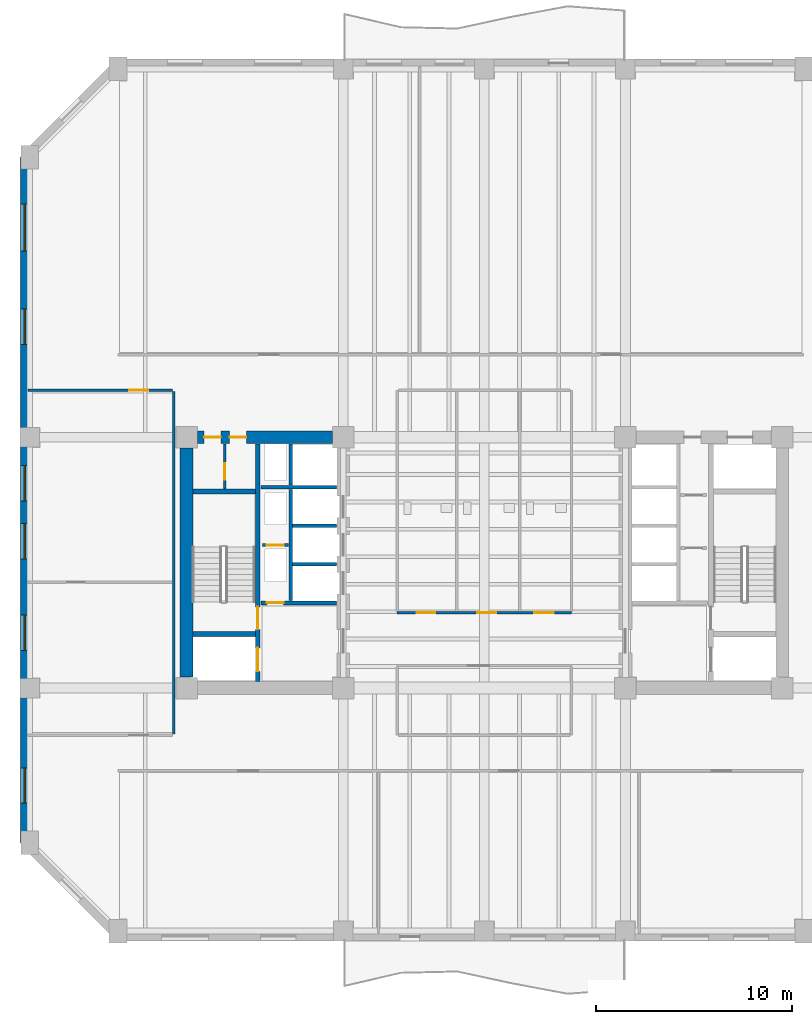
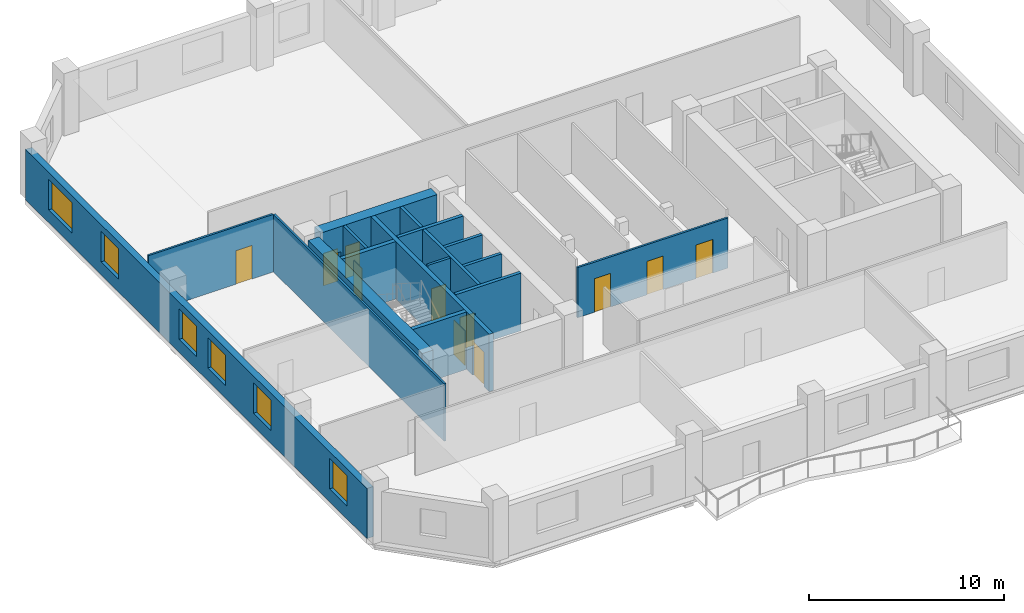
# One storey, part 3 of 10: 17 walls, 11 doors, 6 windows, 17 openings.
"""IFC4 building model written with IfcOpenShell, lengths in metres."""

from ifc_helpers import new_model, si_unit, direction, frame, frame_2d, origin, place, context, subcontext, project, spatial, rectangle, extrude, material, layer, layer_set, type_object, element, fill, save


model = new_model("IFC4")

# Units and contexts
model_context = context("Model", 3, precision=1e-05, world=origin(), true_north=direction((0.0, 1.0)))
body_context = subcontext(model_context, "Body", "Model", "MODEL_VIEW")
ifc_project = project(units=[si_unit("LENGTHUNIT", "METRE"), si_unit("AREAUNIT", "SQUARE_METRE"), si_unit("VOLUMEUNIT", "CUBIC_METRE"), si_unit("PLANEANGLEUNIT", "RADIAN"), si_unit("MASSUNIT", "GRAM", prefix="KILO")], contexts=[model_context])

# Site, building, storey
site_placement = place(None, origin())
site = spatial("IfcSite", under=ifc_project, at=site_placement, CompositionType="ELEMENT")
building_placement = place(site_placement, origin())
building = spatial("IfcBuilding", under=site, at=building_placement, Name="Kranthara Brick Stack", CompositionType="ELEMENT")
storey_placement = place(building_placement, frame((0.0, 0.0, 98.39990234375)))
storey = spatial("IfcBuildingStorey", under=building, at=storey_placement, Name="L24", CompositionType="ELEMENT", Elevation=98.39990234375)

# Wall, openings, windows
ifc_material_1 = material(Name="Kiln-fired clay brick masonry M15", Category="masonry")
ifc_layer_1 = layer(ifc_material_1, 0.3798828125)
ifc_layer_set_1 = layer_set([ifc_layer_1], Name="Kiln-fired clay brick masonry M15")
wall_type_1 = type_object("IfcWallType", Name="WL-BRK-PIER-380", PredefinedType="STANDARD", material=ifc_layer_set_1)
wall_1_placement = place(storey_placement, frame((4.510009765625, 12.89990234375, 0.0), z_axis=(0.0, 0.0, 1.0), x_axis=(0.0, 1.0, 0.0)))
wall_1 = element("IfcWall", 1, at=wall_1_placement, inside=storey, type_object=wall_type_1, Name="L24 Exterior Brick Facade Wall WEST 1", PredefinedType="STANDARD", context=body_context, shape_type="SweptSolid", body=[
    extrude(rectangle(XDim=35.0, YDim=0.3798828125, at=frame_2d((17.5, 0.0))), origin(), (0.0, 0.0, 1.0), 3.135009765625),
])
opening_1_placement = place(wall_1_placement, frame((2.02490234375, 0.0, 0.800048828125)))
opening_1 = element("IfcOpeningElement", 2, at=opening_1_placement, cuts=wall_1, Name="Opening WN01", PredefinedType="OPENING", context=body_context, shape_type="SweptSolid", body=[
    extrude(rectangle(XDim=1.800048828125, YDim=1.89990234375, at=frame_2d((0.89990234375, 0.949951171875))), frame((0.0, 0.199951171875, 0.0), z_axis=(0.0, -1.0, 0.0), x_axis=(1.0, 0.0, 0.0)), (0.0, 0.0, 1.0), 0.39990234375),
])
opening_2_placement = place(wall_1_placement, frame((9.824951171875, 0.0, 0.800048828125)))
opening_2 = element("IfcOpeningElement", 3, at=opening_2_placement, cuts=wall_1, Name="Opening WN01", PredefinedType="OPENING", context=body_context, shape_type="SweptSolid", body=[
    extrude(rectangle(XDim=1.800048828125, YDim=1.89990234375, at=frame_2d((0.89990234375, 0.949951171875))), frame((0.0, 0.199951171875, 0.0), z_axis=(0.0, -1.0, 0.0), x_axis=(1.0, 0.0, 0.0)), (0.0, 0.0, 1.0), 0.39990234375),
])
opening_3_placement = place(wall_1_placement, frame((14.4990234375, 0.0, 0.800048828125)))
opening_3 = element("IfcOpeningElement", 4, at=opening_3_placement, cuts=wall_1, Name="Opening WN01", PredefinedType="OPENING", context=body_context, shape_type="SweptSolid", body=[
    extrude(rectangle(XDim=1.800048828125, YDim=1.89990234375, at=frame_2d((0.89990234375, 0.949951171875))), frame((0.0, 0.199951171875, 0.0), z_axis=(0.0, -1.0, 0.0), x_axis=(1.0, 0.0, 0.0)), (0.0, 0.0, 1.0), 0.39990234375),
])
opening_4_placement = place(wall_1_placement, frame((17.450927734375, 0.0, 0.800048828125)))
opening_4 = element("IfcOpeningElement", 5, at=opening_4_placement, cuts=wall_1, Name="Opening WN01", PredefinedType="OPENING", context=body_context, shape_type="SweptSolid", body=[
    extrude(rectangle(XDim=1.800048828125, YDim=1.89990234375, at=frame_2d((0.89990234375, 0.949951171875))), frame((0.0, 0.199951171875, 0.0), z_axis=(0.0, -1.0, 0.0), x_axis=(1.0, 0.0, 0.0)), (0.0, 0.0, 1.0), 0.39990234375),
])
opening_5_placement = place(wall_1_placement, frame((25.443115234375, 0.0, 0.800048828125)))
opening_5 = element("IfcOpeningElement", 6, at=opening_5_placement, cuts=wall_1, Name="Opening WN01", PredefinedType="OPENING", context=body_context, shape_type="SweptSolid", body=[
    extrude(rectangle(XDim=1.800048828125, YDim=1.89990234375, at=frame_2d((0.89990234375, 0.949951171875))), frame((0.0, 0.199951171875, 0.0), z_axis=(0.0, -1.0, 0.0), x_axis=(1.0, 0.0, 0.0)), (0.0, 0.0, 1.0), 0.39990234375),
])
opening_6_placement = place(wall_1_placement, frame((30.20703125, 0.0, 0.800048828125)))
opening_6 = element("IfcOpeningElement", 7, at=opening_6_placement, cuts=wall_1, Name="Opening WN02", PredefinedType="OPENING", context=body_context, shape_type="SweptSolid", body=[
    extrude(rectangle(XDim=2.39990234375, YDim=1.89990234375, at=frame_2d((1.199951171875, 0.949951171875))), frame((0.0, 0.199951171875, 0.0), z_axis=(0.0, -1.0, 0.0), x_axis=(1.0, 0.0, 0.0)), (0.0, 0.0, 1.0), 0.39990234375),
])
ifc_material_2 = material(Name="Double-glazed low-E solar control glass", Category="glass")
window_type_1 = type_object("IfcWindowType", Name="WN-OFF-1800x2000", PartitioningType="SINGLE_PANEL", PredefinedType="WINDOW", material=ifc_material_2)
window_1_placement = place(opening_1_placement, origin())
window_1 = element("IfcWindow", 8, at=window_1_placement, inside=storey, type_object=window_type_1, Name="L24 West Deep-Set Brick Window 01", OverallHeight=1.89990234375, OverallWidth=1.800048828125, PartitioningType="SINGLE_PANEL", PredefinedType="WINDOW", context=body_context, shape_type="SweptSolid", body=[
    extrude(rectangle(XDim=1.800048828125, YDim=1.89990234375, at=frame_2d((0.89990234375, 0.949951171875))), frame((0.0, -0.010009765625, 0.0), z_axis=(0.0, -1.0, 0.0), x_axis=(1.0, 0.0, 0.0)), (0.0, 0.0, 1.0), 0.06005859375),
])
fill(opening_1, window_1)
window_2_placement = place(opening_2_placement, origin())
window_2 = element("IfcWindow", 9, at=window_2_placement, inside=storey, type_object=window_type_1, Name="L24 West Deep-Set Brick Window 02", OverallHeight=1.89990234375, OverallWidth=1.800048828125, PartitioningType="SINGLE_PANEL", PredefinedType="WINDOW", context=body_context, shape_type="SweptSolid", body=[
    extrude(rectangle(XDim=1.800048828125, YDim=1.89990234375, at=frame_2d((0.89990234375, 0.949951171875))), frame((0.0, -0.010009765625, 0.0), z_axis=(0.0, -1.0, 0.0), x_axis=(1.0, 0.0, 0.0)), (0.0, 0.0, 1.0), 0.06005859375),
])
fill(opening_2, window_2)
window_3_placement = place(opening_3_placement, origin())
window_3 = element("IfcWindow", 10, at=window_3_placement, inside=storey, type_object=window_type_1, Name="L24 West Deep-Set Brick Window 03", OverallHeight=1.89990234375, OverallWidth=1.800048828125, PartitioningType="SINGLE_PANEL", PredefinedType="WINDOW", context=body_context, shape_type="SweptSolid", body=[
    extrude(rectangle(XDim=1.800048828125, YDim=1.89990234375, at=frame_2d((0.89990234375, 0.949951171875))), frame((0.0, -0.010009765625, 0.0), z_axis=(0.0, -1.0, 0.0), x_axis=(1.0, 0.0, 0.0)), (0.0, 0.0, 1.0), 0.06005859375),
])
fill(opening_3, window_3)
window_4_placement = place(opening_4_placement, origin())
window_4 = element("IfcWindow", 11, at=window_4_placement, inside=storey, type_object=window_type_1, Name="L24 West Deep-Set Brick Window 04", OverallHeight=1.89990234375, OverallWidth=1.800048828125, PartitioningType="SINGLE_PANEL", PredefinedType="WINDOW", context=body_context, shape_type="SweptSolid", body=[
    extrude(rectangle(XDim=1.800048828125, YDim=1.89990234375, at=frame_2d((0.89990234375, 0.949951171875))), frame((0.0, -0.010009765625, 0.0), z_axis=(0.0, -1.0, 0.0), x_axis=(1.0, 0.0, 0.0)), (0.0, 0.0, 1.0), 0.06005859375),
])
fill(opening_4, window_4)
window_5_placement = place(opening_5_placement, origin())
window_5 = element("IfcWindow", 12, at=window_5_placement, inside=storey, type_object=window_type_1, Name="L24 West Deep-Set Brick Window 05", OverallHeight=1.89990234375, OverallWidth=1.800048828125, PartitioningType="SINGLE_PANEL", PredefinedType="WINDOW", context=body_context, shape_type="SweptSolid", body=[
    extrude(rectangle(XDim=1.800048828125, YDim=1.89990234375, at=frame_2d((0.89990234375, 0.949951171875))), frame((0.0, -0.010009765625, 0.0), z_axis=(0.0, -1.0, 0.0), x_axis=(1.0, 0.0, 0.0)), (0.0, 0.0, 1.0), 0.06005859375),
])
fill(opening_5, window_5)
ifc_material_3 = material(Name="Double-glazed low-E solar control glass", Category="glass")
window_type_2 = type_object("IfcWindowType", Name="WN-OFF-2400x2000", PartitioningType="DOUBLE_PANEL_VERTICAL", PredefinedType="WINDOW", material=ifc_material_3)
window_6_placement = place(opening_6_placement, origin())
window_6 = element("IfcWindow", 13, at=window_6_placement, inside=storey, type_object=window_type_2, Name="L24 West Deep-Set Brick Window 06", OverallHeight=1.89990234375, OverallWidth=2.39990234375, PartitioningType="SINGLE_PANEL", PredefinedType="WINDOW", context=body_context, shape_type="SweptSolid", body=[
    extrude(rectangle(XDim=2.39990234375, YDim=1.89990234375, at=frame_2d((1.199951171875, 0.949951171875))), frame((0.0, -0.010009765625, 0.0), z_axis=(0.0, -1.0, 0.0), x_axis=(1.0, 0.0, 0.0)), (0.0, 0.0, 1.0), 0.06005859375),
])
fill(opening_6, window_6)

# Wall, openings, doors
ifc_material_4 = material(Name="Concrete C50/60", Category="concrete")
ifc_layer_2 = layer(ifc_material_4, 0.25)
ifc_layer_set_2 = layer_set([ifc_layer_2], Name="Concrete C50/60")
wall_type_2 = type_object("IfcWallType", Name="WL-CORE-250", PredefinedType="SHEAR", material=ifc_layer_set_2)
wall_2_placement = place(storey_placement, frame((16.43505859375, 21.135009765625, 0.0), z_axis=(0.0, 0.0, 1.0), x_axis=(0.0, 1.0, 0.0)))
wall_2 = element("IfcWall", 14, at=wall_2_placement, inside=storey, type_object=wall_type_2, Name="L24 West Core Stair Bearing Spine Wall", PredefinedType="SHEAR", context=body_context, shape_type="SweptSolid", body=[
    extrude(rectangle(XDim=12.1298828125, YDim=0.25, at=frame_2d((6.06494140625, 0.0))), origin(), (0.0, 0.0, 1.0), 3.60009765625),
])
opening_7_placement = place(wall_2_placement, frame((0.514892578125, 0.0, 0.0)))
opening_7 = element("IfcOpeningElement", 15, at=opening_7_placement, cuts=wall_2, Name="Opening LD01", PredefinedType="OPENING", context=body_context, shape_type="SweptSolid", body=[
    extrude(rectangle(XDim=1.199951171875, YDim=2.14990234375, at=frame_2d((0.60009765625, 1.074951171875))), frame((0.0, 0.135009765625, 0.0), z_axis=(0.0, -1.0, 0.0), x_axis=(1.0, 0.0, 0.0)), (0.0, 0.0, 1.0), 0.27001953125),
])
opening_8_placement = place(wall_2_placement, frame((2.6650390625, 0.0, 0.0)))
opening_8 = element("IfcOpeningElement", 16, at=opening_8_placement, cuts=wall_2, Name="Opening D05", PredefinedType="OPENING", context=body_context, shape_type="SweptSolid", body=[
    extrude(rectangle(XDim=1.14990234375, YDim=2.14990234375, at=frame_2d((0.574951171875, 1.074951171875))), frame((0.0, 0.135009765625, 0.0), z_axis=(0.0, -1.0, 0.0), x_axis=(1.0, 0.0, 0.0)), (0.0, 0.0, 1.0), 0.27001953125),
])
ifc_material_5 = material(Name="Stainless steel sliding landing door", Category="steel")
door_type_1 = type_object("IfcDoorType", Name="DR-LD-FF1200", OperationType="DOUBLE_DOOR_SLIDING", PredefinedType="DOOR", material=ifc_material_5)
door_1_placement = place(opening_7_placement, origin())
door_1 = element("IfcDoor", 17, at=door_1_placement, inside=storey, type_object=door_type_1, Name="L24 Firefighting Lift FF-01 Landing Door", OperationType="DOUBLE_DOOR_SLIDING", OverallHeight=2.14990234375, OverallWidth=1.199951171875, PredefinedType="DOOR", context=body_context, shape_type="SweptSolid", body=[
    extrude(rectangle(XDim=1.199951171875, YDim=2.14990234375, at=frame_2d((0.60009765625, 1.074951171875))), frame((0.0, 0.02490234375, 0.0), z_axis=(0.0, -1.0, 0.0), x_axis=(1.0, 0.0, 0.0)), (0.0, 0.0, 1.0), 0.050048828125),
])
fill(opening_7, door_1)
ifc_material_6 = material(Name="Solid-core hardwood timber leaf in steel frame", Category="steel")
door_type_2 = type_object("IfcDoorType", Name="DR-ST-1150", OperationType="NOTDEFINED", PredefinedType="DOOR", material=ifc_material_6)
door_2_placement = place(opening_8_placement, origin())
door_2 = element("IfcDoor", 18, at=door_2_placement, inside=storey, type_object=door_type_2, Name="L24 Exit Stair ST01 Door", OperationType="SINGLE_SWING_RIGHT", OverallHeight=2.14990234375, OverallWidth=1.14990234375, PredefinedType="DOOR", context=body_context, shape_type="SweptSolid", body=[
    extrude(rectangle(XDim=1.14990234375, YDim=2.14990234375, at=frame_2d((0.574951171875, 1.074951171875))), frame((0.0, 0.02490234375, 0.0), z_axis=(0.0, -1.0, 0.0), x_axis=(1.0, 0.0, 0.0)), (0.0, 0.0, 1.0), 0.050048828125),
])
fill(opening_8, door_2)

# Walls
for number, where, z_axis, x_axis, name in (
    (19, (13.135009765625, 23.570068359375, 0.0), (0.0, 0.0, 1.0), (1.0, 0.0, 0.0), "L24 West Stairwell Bearing Wall WFF"),
    (20, (13.135009765625, 30.830078125, 0.0), (0.0, 0.0, 1.0), (1.0, 0.0, 0.0), "L24 West Stairwell Bearing Wall WST"),
):
    element("IfcWall", number, at=place(storey_placement, frame(where, z_axis=z_axis, x_axis=x_axis)), inside=storey, type_object=wall_type_2, Name=name, PredefinedType="SHEAR", context=body_context, shape_type="SweptSolid", body=[
        extrude(rectangle(XDim=3.175048828125, YDim=0.25, at=frame_2d((1.58740234375, 0.0))), origin(), (0.0, 0.0, 1.0), 3.60009765625),
    ])
ifc_material_7 = material(Name="Concrete C60/75", Category="concrete")
ifc_layer_3 = layer(ifc_material_7, 0.64990234375)
ifc_layer_set_3 = layer_set([ifc_layer_3], Name="Concrete C60/75")
wall_type_3 = type_object("IfcWallType", Name="WL-CORE-650", PredefinedType="SHEAR", material=ifc_layer_set_3)
wall_3_placement = place(storey_placement, frame((12.800048828125, 21.35498046875, 0.0), z_axis=(0.0, 0.0, 1.0), x_axis=(0.0, 1.0, 0.0)))
element("IfcWall", 21, at=wall_3_placement, inside=storey, type_object=wall_type_3, Name="L24 West Core Shear Wall West", PredefinedType="SHEAR", context=body_context, shape_type="SweptSolid", body=[
    extrude(rectangle(XDim=11.68994140625, YDim=0.64990234375, at=frame_2d((5.844970703125, 0.0))), origin(), (0.0, 0.0, 1.0), 3.60009765625),
])

# Wall, openings, doors
wall_4_placement = place(storey_placement, frame((13.35498046875, 33.60009765625, 0.0), z_axis=(0.0, 0.0, 1.0), x_axis=(1.0, 0.0, 0.0)))
wall_4 = element("IfcWall", 22, at=wall_4_placement, inside=storey, type_object=wall_type_3, Name="L24 West Core Shear Wall North", PredefinedType="SHEAR", context=body_context, shape_type="SweptSolid", body=[
    extrude(rectangle(XDim=6.89013671875, YDim=0.64990234375, at=frame_2d((3.445068359375, 0.0))), origin(), (0.0, 0.0, 1.0), 3.60009765625),
])
opening_9_placement = place(wall_4_placement, frame((0.344970703125, 0.0, 0.0)))
opening_9 = element("IfcOpeningElement", 23, at=opening_9_placement, cuts=wall_4, Name="Opening D10", PredefinedType="OPENING", context=body_context, shape_type="SweptSolid", body=[
    extrude(rectangle(XDim=0.85009765625, YDim=2.02001953125, at=frame_2d((0.425048828125, 1.010009765625))), frame((0.0, 0.3349609375, 0.0), z_axis=(0.0, -1.0, 0.0), x_axis=(1.0, 0.0, 0.0)), (0.0, 0.0, 1.0), 0.669921875),
])
opening_10_placement = place(wall_4_placement, frame((1.64501953125, 0.0, 0.0)))
opening_10 = element("IfcOpeningElement", 24, at=opening_10_placement, cuts=wall_4, Name="Opening D10", PredefinedType="OPENING", context=body_context, shape_type="SweptSolid", body=[
    extrude(rectangle(XDim=0.85009765625, YDim=2.02001953125, at=frame_2d((0.425048828125, 1.010009765625))), frame((0.0, 0.3349609375, 0.0), z_axis=(0.0, -1.0, 0.0), x_axis=(1.0, 0.0, 0.0)), (0.0, 0.0, 1.0), 0.669921875),
])
ifc_material_8 = material(Name="Solid-core hardwood timber leaf in steel frame", Category="steel")
door_type_3 = type_object("IfcDoorType", Name="DR-RSR-850", OperationType="NOTDEFINED", PredefinedType="DOOR", material=ifc_material_8)
door_3_placement = place(opening_9_placement, origin())
door_3 = element("IfcDoor", 25, at=door_3_placement, inside=storey, type_object=door_type_3, Name="L24 West Core Service Door 1", OperationType="SINGLE_SWING_LEFT", OverallHeight=2.02001953125, OverallWidth=0.85009765625, PredefinedType="DOOR", context=body_context, shape_type="SweptSolid", body=[
    extrude(rectangle(XDim=0.85009765625, YDim=2.02001953125, at=frame_2d((0.425048828125, 1.010009765625))), frame((0.0, 0.02490234375, 0.0), z_axis=(0.0, -1.0, 0.0), x_axis=(1.0, 0.0, 0.0)), (0.0, 0.0, 1.0), 0.050048828125),
])
fill(opening_9, door_3)
door_4_placement = place(opening_10_placement, origin())
door_4 = element("IfcDoor", 26, at=door_4_placement, inside=storey, type_object=door_type_3, Name="L24 West Core Service Door 2", OperationType="SINGLE_SWING_RIGHT", OverallHeight=2.02001953125, OverallWidth=0.85009765625, PredefinedType="DOOR", context=body_context, shape_type="SweptSolid", body=[
    extrude(rectangle(XDim=0.85009765625, YDim=2.02001953125, at=frame_2d((0.425048828125, 1.010009765625))), frame((0.0, 0.02490234375, 0.0), z_axis=(0.0, -1.0, 0.0), x_axis=(1.0, 0.0, 0.0)), (0.0, 0.0, 1.0), 0.050048828125),
])
fill(opening_10, door_4)

ifc_material_9 = material(Name="Acoustic gypsum plasterboard partition", Category="other")
ifc_layer_4 = layer(ifc_material_9, 0.1201171875)
ifc_layer_set_4 = layer_set([ifc_layer_4], Name="Acoustic gypsum plasterboard partition")
wall_type_4 = type_object("IfcWallType", Name="WL-PART-120", PredefinedType="PARTITIONING", material=ifc_layer_set_4)
wall_5_placement = place(storey_placement, frame((23.550048828125, 24.64990234375, 0.0), z_axis=(0.0, 0.0, 1.0), x_axis=(1.0, 0.0, 0.0)))
wall_5 = element("IfcWall", 27, at=wall_5_placement, inside=storey, type_object=wall_type_4, Name="L24 Interior Partition 005", PredefinedType="PARTITIONING", context=body_context, shape_type="SweptSolid", body=[
    extrude(rectangle(XDim=8.89990234375, YDim=0.1201171875, at=frame_2d((4.449951171875, 0.0))), origin(), (0.0, 0.0, 1.0), 3.135009765625),
])
opening_11_placement = place(wall_5_placement, frame((1.0, 0.0, 0.0)))
opening_11 = element("IfcOpeningElement", 28, at=opening_11_placement, cuts=wall_5, Name="Opening D14", PredefinedType="OPENING", context=body_context, shape_type="SweptSolid", body=[
    extrude(rectangle(XDim=0.949951171875, YDim=2.10009765625, at=frame_2d((0.47509765625, 1.050048828125))), frame((0.0, 0.070068359375, 0.0), z_axis=(0.0, -1.0, 0.0), x_axis=(1.0, 0.0, 0.0)), (0.0, 0.0, 1.0), 0.14013671875),
])
opening_12_placement = place(wall_5_placement, frame((4.10009765625, 0.0, 0.0)))
opening_12 = element("IfcOpeningElement", 29, at=opening_12_placement, cuts=wall_5, Name="Opening D14", PredefinedType="OPENING", context=body_context, shape_type="SweptSolid", body=[
    extrude(rectangle(XDim=0.949951171875, YDim=2.10009765625, at=frame_2d((0.47509765625, 1.050048828125))), frame((0.0, 0.070068359375, 0.0), z_axis=(0.0, -1.0, 0.0), x_axis=(1.0, 0.0, 0.0)), (0.0, 0.0, 1.0), 0.14013671875),
])
opening_13_placement = place(wall_5_placement, frame((7.0, 0.0, 0.0)))
opening_13 = element("IfcOpeningElement", 30, at=opening_13_placement, cuts=wall_5, Name="Opening D18", PredefinedType="OPENING", context=body_context, shape_type="SweptSolid", body=[
    extrude(rectangle(XDim=1.0, YDim=2.10009765625, at=frame_2d((0.5, 1.050048828125))), frame((0.0, 0.070068359375, 0.0), z_axis=(0.0, -1.0, 0.0), x_axis=(1.0, 0.0, 0.0)), (0.0, 0.0, 1.0), 0.14013671875),
])
ifc_material_10 = material(Name="Solid-core hardwood timber leaf in steel frame", Category="steel")
door_type_4 = type_object("IfcDoorType", Name="DR-ACC-1000", OperationType="NOTDEFINED", PredefinedType="DOOR", material=ifc_material_10)
door_5_placement = place(opening_13_placement, origin())
door_5 = element("IfcDoor", 31, at=door_5_placement, inside=storey, type_object=door_type_4, Name="L24 Accessible WC Door 07", OperationType="SINGLE_SWING_LEFT", OverallHeight=2.10009765625, OverallWidth=1.0, PredefinedType="DOOR", context=body_context, shape_type="SweptSolid", body=[
    extrude(rectangle(XDim=1.0, YDim=2.10009765625, at=frame_2d((0.5, 1.050048828125))), frame((0.0, 0.02490234375, 0.0), z_axis=(0.0, -1.0, 0.0), x_axis=(1.0, 0.0, 0.0)), (0.0, 0.0, 1.0), 0.050048828125),
])
fill(opening_13, door_5)
ifc_material_11 = material(Name="Solid-core hardwood timber leaf in steel frame", Category="steel")
door_type_5 = type_object("IfcDoorType", Name="DR-INT-950", OperationType="NOTDEFINED", PredefinedType="DOOR", material=ifc_material_11)
door_6_placement = place(opening_11_placement, origin())
door_6 = element("IfcDoor", 32, at=door_6_placement, inside=storey, type_object=door_type_5, Name="L24 Male WC Door 05", OperationType="SINGLE_SWING_LEFT", OverallHeight=2.10009765625, OverallWidth=0.949951171875, PredefinedType="DOOR", context=body_context, shape_type="SweptSolid", body=[
    extrude(rectangle(XDim=0.949951171875, YDim=2.10009765625, at=frame_2d((0.47509765625, 1.050048828125))), frame((0.0, 0.02490234375, 0.0), z_axis=(0.0, -1.0, 0.0), x_axis=(1.0, 0.0, 0.0)), (0.0, 0.0, 1.0), 0.050048828125),
])
fill(opening_11, door_6)
door_7_placement = place(opening_12_placement, origin())
door_7 = element("IfcDoor", 33, at=door_7_placement, inside=storey, type_object=door_type_5, Name="L24 Female WC Door 06", OperationType="SINGLE_SWING_RIGHT", OverallHeight=2.10009765625, OverallWidth=0.949951171875, PredefinedType="DOOR", context=body_context, shape_type="SweptSolid", body=[
    extrude(rectangle(XDim=0.949951171875, YDim=2.10009765625, at=frame_2d((0.47509765625, 1.050048828125))), frame((0.0, 0.02490234375, 0.0), z_axis=(0.0, -1.0, 0.0), x_axis=(1.0, 0.0, 0.0)), (0.0, 0.0, 1.0), 0.050048828125),
])
fill(opening_12, door_7)

# Wall
wall_6_placement = place(storey_placement, frame((12.14990234375, 18.449951171875, 0.0), z_axis=(0.0, 0.0, 1.0), x_axis=(0.0, 1.0, 0.0)))
element("IfcWall", 34, at=wall_6_placement, inside=storey, type_object=wall_type_4, Name="L24 Interior Partition 020", PredefinedType="PARTITIONING", context=body_context, shape_type="SweptSolid", body=[
    extrude(rectangle(XDim=17.5, YDim=0.1201171875, at=frame_2d((8.75, 0.0))), origin(), (0.0, 0.0, 1.0), 3.60009765625),
])

# Wall, opening, door
wall_7_placement = place(storey_placement, frame((4.705078125, 36.0, 0.0), z_axis=(0.0, 0.0, 1.0), x_axis=(1.0, 0.0, 0.0)))
wall_7 = element("IfcWall", 35, at=wall_7_placement, inside=storey, type_object=wall_type_4, Name="L24 Interior Partition 022", PredefinedType="PARTITIONING", context=body_context, shape_type="SweptSolid", body=[
    extrude(rectangle(XDim=7.3798828125, YDim=0.1201171875, at=frame_2d((3.68994140625, 0.0))), origin(), (0.0, 0.0, 1.0), 3.60009765625),
])
opening_14_placement = place(wall_7_placement, frame((5.179931640625, 0.0, 0.0)))
opening_14 = element("IfcOpeningElement", 36, at=opening_14_placement, cuts=wall_7, Name="Opening D14", PredefinedType="OPENING", context=body_context, shape_type="SweptSolid", body=[
    extrude(rectangle(XDim=0.949951171875, YDim=2.10009765625, at=frame_2d((0.47509765625, 1.050048828125))), frame((0.0, 0.070068359375, 0.0), z_axis=(0.0, -1.0, 0.0), x_axis=(1.0, 0.0, 0.0)), (0.0, 0.0, 1.0), 0.14013671875),
])
door_8_placement = place(opening_14_placement, origin())
door_8 = element("IfcDoor", 37, at=door_8_placement, inside=storey, type_object=door_type_5, Name="L24 West North Office 16", OperationType="SINGLE_SWING_RIGHT", OverallHeight=2.10009765625, OverallWidth=0.949951171875, PredefinedType="DOOR", context=body_context, shape_type="SweptSolid", body=[
    extrude(rectangle(XDim=0.949951171875, YDim=2.10009765625, at=frame_2d((0.47509765625, 1.050048828125))), frame((0.0, 0.02490234375, 0.0), z_axis=(0.0, -1.0, 0.0), x_axis=(1.0, 0.0, 0.0)), (0.0, 0.0, 1.0), 0.050048828125),
])
fill(opening_14, door_8)

ifc_material_12 = material(Name="Fire-rated gypsum board partition", Category="other")
ifc_layer_5 = layer(ifc_material_12, 0.14990234375)
ifc_layer_set_5 = layer_set([ifc_layer_5], Name="Fire-rated gypsum board partition")
wall_type_5 = type_object("IfcWallType", Name="WL-PART-150", PredefinedType="PARTITIONING", material=ifc_layer_set_5)
wall_8_placement = place(storey_placement, frame((14.75, 30.9599609375, 0.0), z_axis=(0.0, 0.0, 1.0), x_axis=(0.0, 1.0, 0.0)))
wall_8 = element("IfcWall", 38, at=wall_8_placement, inside=storey, type_object=wall_type_5, Name="L24 Interior Partition 001", PredefinedType="PARTITIONING", context=body_context, shape_type="SweptSolid", body=[
    extrude(rectangle(XDim=2.31005859375, YDim=0.14990234375, at=frame_2d((1.155029296875, 0.0))), origin(), (0.0, 0.0, 1.0), 3.60009765625),
])
opening_15_placement = place(wall_8_placement, frame((0.469970703125, 0.0, 0.0)))
opening_15 = element("IfcOpeningElement", 39, at=opening_15_placement, cuts=wall_8, Name="Opening D10", PredefinedType="OPENING", context=body_context, shape_type="SweptSolid", body=[
    extrude(rectangle(XDim=0.85009765625, YDim=2.02001953125, at=frame_2d((0.425048828125, 1.010009765625))), frame((0.0, 0.0849609375, 0.0), z_axis=(0.0, -1.0, 0.0), x_axis=(1.0, 0.0, 0.0)), (0.0, 0.0, 1.0), 0.169921875),
])
door_9_placement = place(opening_15_placement, origin())
door_9 = element("IfcDoor", 40, at=door_9_placement, inside=storey, type_object=door_type_3, Name="L24 Service Interconnect 01", OperationType="SINGLE_SWING_LEFT", OverallHeight=2.02001953125, OverallWidth=0.85009765625, PredefinedType="DOOR", context=body_context, shape_type="SweptSolid", body=[
    extrude(rectangle(XDim=0.85009765625, YDim=2.02001953125, at=frame_2d((0.425048828125, 1.010009765625))), frame((0.0, 0.02490234375, 0.0), z_axis=(0.0, -1.0, 0.0), x_axis=(1.0, 0.0, 0.0)), (0.0, 0.0, 1.0), 0.050048828125),
])
fill(opening_15, door_9)

wall_9_placement = place(storey_placement, frame((16.679931640625, 28.10009765625, 0.0), z_axis=(0.0, 0.0, 1.0), x_axis=(1.0, 0.0, 0.0)))
wall_9 = element("IfcWall", 41, at=wall_9_placement, inside=storey, type_object=wall_type_5, Name="L24 Interior Partition 004", PredefinedType="PARTITIONING", context=body_context, shape_type="SweptSolid", body=[
    extrude(rectangle(XDim=1.320068359375, YDim=0.14990234375, at=frame_2d((0.66015625, 0.0))), origin(), (0.0, 0.0, 1.0), 3.60009765625),
])
opening_16_placement = place(wall_9_placement, frame((0.219970703125, 0.0, 0.0)))
opening_16 = element("IfcOpeningElement", 42, at=opening_16_placement, cuts=wall_9, Name="Opening D10", PredefinedType="OPENING", context=body_context, shape_type="SweptSolid", body=[
    extrude(rectangle(XDim=0.85009765625, YDim=2.02001953125, at=frame_2d((0.425048828125, 1.010009765625))), frame((0.0, 0.0849609375, 0.0), z_axis=(0.0, -1.0, 0.0), x_axis=(1.0, 0.0, 0.0)), (0.0, 0.0, 1.0), 0.169921875),
])
door_10_placement = place(opening_16_placement, origin())
door_10 = element("IfcDoor", 43, at=door_10_placement, inside=storey, type_object=door_type_3, Name="L24 Riser Split Door 04", OperationType="SINGLE_SWING_RIGHT", OverallHeight=2.02001953125, OverallWidth=0.85009765625, PredefinedType="DOOR", context=body_context, shape_type="SweptSolid", body=[
    extrude(rectangle(XDim=0.85009765625, YDim=2.02001953125, at=frame_2d((0.425048828125, 1.010009765625))), frame((0.0, 0.02490234375, 0.0), z_axis=(0.0, -1.0, 0.0), x_axis=(1.0, 0.0, 0.0)), (0.0, 0.0, 1.0), 0.050048828125),
])
fill(opening_16, door_10)

# Walls
ifc_material_13 = material(Name="Gypsum plasterboard on acoustic twin stud", Category="other")
ifc_layer_6 = layer(ifc_material_13, 0.179931640625)
ifc_layer_set_6 = layer_set([ifc_layer_6], Name="Gypsum plasterboard on acoustic twin stud")
wall_type_6 = type_object("IfcWallType", Name="WL-PART-180", PredefinedType="PARTITIONING", material=ifc_layer_set_6)
wall_10_placement = place(storey_placement, frame((18.1201171875, 25.27001953125, 0.0), z_axis=(0.0, 0.0, 1.0), x_axis=(0.0, 1.0, 0.0)))
element("IfcWall", 44, at=wall_10_placement, inside=storey, type_object=wall_type_6, Name="L24 West Hoistway Wall WBK", PredefinedType="PARTITIONING", context=body_context, shape_type="SweptSolid", body=[
    extrude(rectangle(XDim=5.659912109375, YDim=0.179931640625, at=frame_2d((2.830078125, 0.0))), origin(), (0.0, 0.0, 1.0), 3.60009765625),
])
wall_11_placement = place(storey_placement, frame((18.1201171875, 31.169921875, 0.0), z_axis=(0.0, 0.0, 1.0), x_axis=(0.0, 1.0, 0.0)))
element("IfcWall", 45, at=wall_11_placement, inside=storey, type_object=wall_type_6, Name="L24 West Hoistway Wall WBK7", PredefinedType="PARTITIONING", context=body_context, shape_type="SweptSolid", body=[
    extrude(rectangle(XDim=2.094970703125, YDim=0.179931640625, at=frame_2d((1.04736328125, 0.0))), origin(), (0.0, 0.0, 1.0), 3.60009765625),
])
for number, where, z_axis, x_axis, name in (
    (46, (18.219970703125, 27.1201171875, 0.0), (0.0, 0.0, 1.0), (1.0, 0.0, 0.0), "L24 West Hoistway Wall WH1"),
    (47, (18.219970703125, 29.080078125, 0.0), (0.0, 0.0, 1.0), (1.0, 0.0, 0.0), "L24 West Hoistway Wall WH2"),
):
    element("IfcWall", number, at=place(storey_placement, frame(where, z_axis=z_axis, x_axis=x_axis)), inside=storey, type_object=wall_type_6, Name=name, PredefinedType="PARTITIONING", context=body_context, shape_type="SweptSolid", body=[
        extrude(rectangle(XDim=2.2451171875, YDim=0.179931640625, at=frame_2d((1.12255859375, 0.0))), origin(), (0.0, 0.0, 1.0), 3.60009765625),
    ])

# Wall, opening, door
ifc_material_14 = material(Name="Concrete C40/50", Category="concrete")
ifc_layer_7 = layer(ifc_material_14, 0.199951171875)
ifc_layer_set_7 = layer_set([ifc_layer_7], Name="Concrete C40/50")
wall_type_7 = type_object("IfcWallType", Name="WL-PART-200", PredefinedType="SOLIDWALL", material=ifc_layer_set_7)
wall_12_placement = place(storey_placement, frame((16.60009765625, 25.14990234375, 0.0), z_axis=(0.0, 0.0, 1.0), x_axis=(1.0, 0.0, 0.0)))
wall_12 = element("IfcWall", 48, at=wall_12_placement, inside=storey, type_object=wall_type_7, Name="L24 West Core Cross Wall WFL", PredefinedType="SOLIDWALL", context=body_context, shape_type="SweptSolid", body=[
    extrude(rectangle(XDim=3.864990234375, YDim=0.199951171875, at=frame_2d((1.9326171875, 0.0))), origin(), (0.0, 0.0, 1.0), 3.60009765625),
])
opening_17_placement = place(wall_12_placement, frame((0.300048828125, 0.0, 0.0)))
opening_17 = element("IfcOpeningElement", 49, at=opening_17_placement, cuts=wall_12, Name="Opening D10", PredefinedType="OPENING", context=body_context, shape_type="SweptSolid", body=[
    extrude(rectangle(XDim=0.85009765625, YDim=2.02001953125, at=frame_2d((0.425048828125, 1.010009765625))), frame((0.0, 0.10986328125, 0.0), z_axis=(0.0, -1.0, 0.0), x_axis=(1.0, 0.0, 0.0)), (0.0, 0.0, 1.0), 0.219970703125),
])
door_11_placement = place(opening_17_placement, origin())
door_11 = element("IfcDoor", 50, at=door_11_placement, inside=storey, type_object=door_type_3, Name="L24 Mechanical Riser Access Door", OperationType="SINGLE_SWING_LEFT", OverallHeight=2.02001953125, OverallWidth=0.85009765625, PredefinedType="DOOR", context=body_context, shape_type="SweptSolid", body=[
    extrude(rectangle(XDim=0.85009765625, YDim=2.02001953125, at=frame_2d((0.425048828125, 1.010009765625))), frame((0.0, 0.02490234375, 0.0), z_axis=(0.0, -1.0, 0.0), x_axis=(1.0, 0.0, 0.0)), (0.0, 0.0, 1.0), 0.050048828125),
])
fill(opening_17, door_11)

# Wall
wall_13_placement = place(storey_placement, frame((16.60009765625, 31.050048828125, 0.0), z_axis=(0.0, 0.0, 1.0), x_axis=(1.0, 0.0, 0.0)))
element("IfcWall", 51, at=wall_13_placement, inside=storey, type_object=wall_type_7, Name="L24 West Core Cross Wall WH4", PredefinedType="SOLIDWALL", context=body_context, shape_type="SweptSolid", body=[
    extrude(rectangle(XDim=3.849853515625, YDim=0.199951171875, at=frame_2d((1.9248046875, 0.0))), origin(), (0.0, 0.0, 1.0), 3.60009765625),
])

save(model, "model.ifc")
